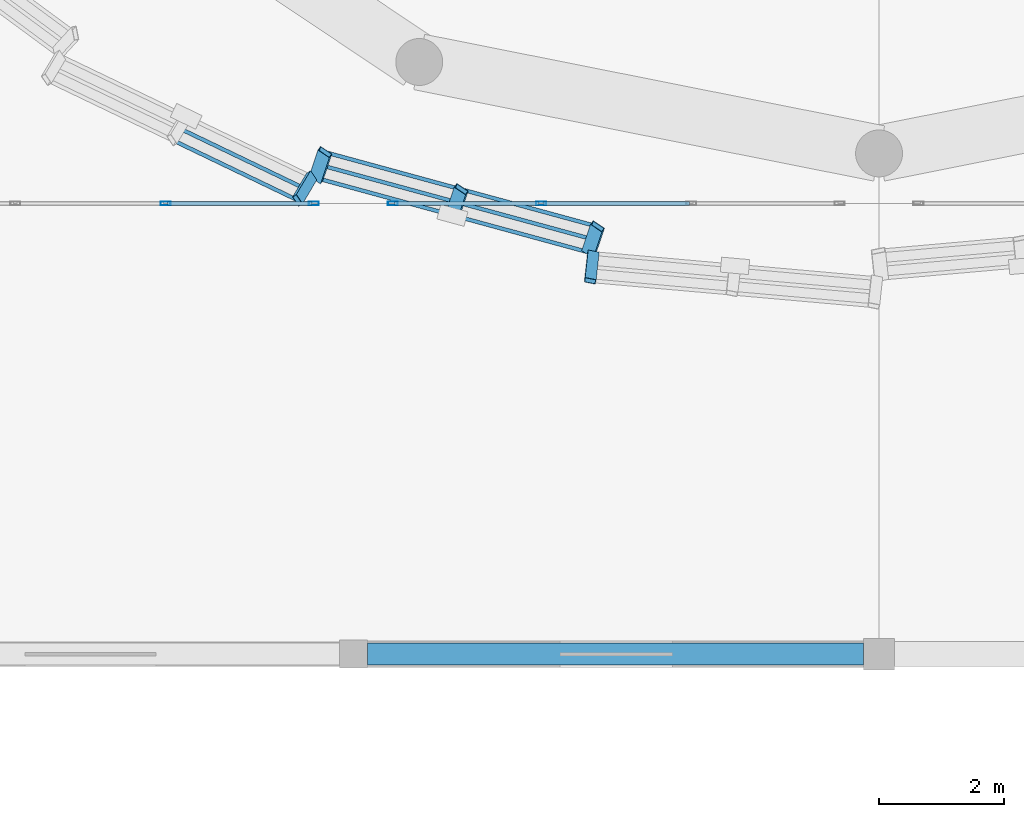
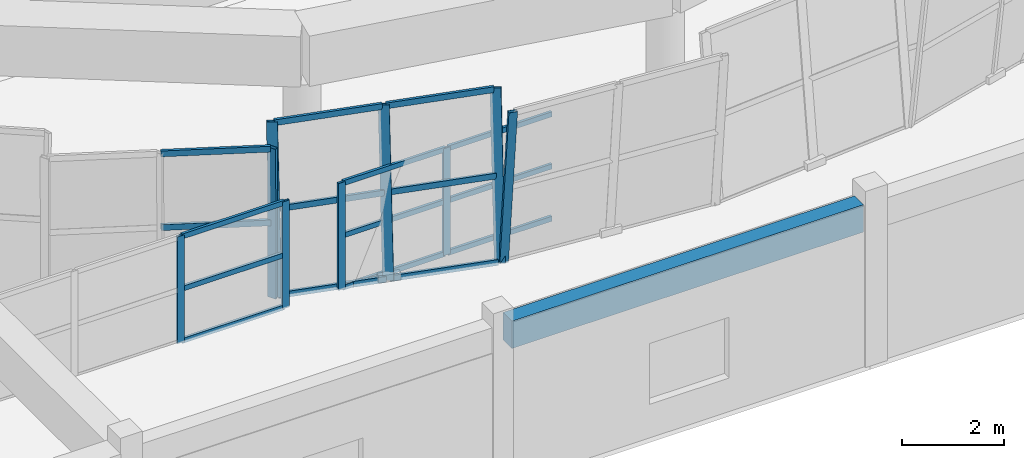
# One storey, part 10 of 40: 26 members, 1 beam, 5 elements without a shape of their own.
"""IFC4 building model written with IfcOpenShell, lengths in metres."""

from ifc_helpers import new_model, si_unit, direction, frame, origin, origin_2d, place, context, subcontext, project, spatial, rectangle, hollow_rectangle, extrude, material, material_profile, profile_set, type_object, element, aggregate, save


model = new_model("IFC4")

# Units and contexts
model_context = context("Model", 3, precision=1e-05, world=origin(), true_north=direction((0.0, 1.0)))
body_context = subcontext(model_context, "Body", "Model", "MODEL_VIEW")
ifc_project = project(units=[si_unit("LENGTHUNIT", "METRE"), si_unit("AREAUNIT", "SQUARE_METRE"), si_unit("VOLUMEUNIT", "CUBIC_METRE"), si_unit("PLANEANGLEUNIT", "RADIAN"), si_unit("MASSUNIT", "GRAM", prefix="KILO")], contexts=[model_context])

# Site, building, storey
site_placement = place(None, origin())
site = spatial("IfcSite", under=ifc_project, at=site_placement, CompositionType="ELEMENT")
building_placement = place(site_placement, origin())
building = spatial("IfcBuilding", under=site, at=building_placement, Name="Korsvaeld Concert Hall", CompositionType="ELEMENT")
storey_placement = place(building_placement, frame((0.0, 0.0, 13.199951171875)))
storey = spatial("IfcBuildingStorey", under=building, at=storey_placement, Name="L03", CompositionType="ELEMENT", Elevation=13.199951171875)

# Beam
ifc_material_1 = material(Name="Concrete C35/45", Category="concrete")
ifc_material_profile_1 = material_profile(ifc_material_1, rectangle(XDim=0.35009765625, YDim=0.64990234375, at=origin_2d()), Name="RC 350x650")
ifc_profile_set_1 = profile_set([ifc_material_profile_1], Name="Concrete C35/45")
beam_type = type_object("IfcBeamType", Name="BM-RC-350x650", PredefinedType="T_BEAM", material=ifc_profile_set_1)
beam_placement = place(storey_placement, frame((75.824951171875, 36.0, 3.51513671875), z_axis=(1.0, 0.0, 0.0), x_axis=(0.0, 1.0, 0.0)))
element("IfcBeam", 1, at=beam_placement, inside=storey, type_object=beam_type, Name="Primary girder 11-12/F L03", PredefinedType="T_BEAM", context=body_context, shape_type="SweptSolid", body=[
    extrude(rectangle(XDim=0.35009765625, YDim=0.64990234375, at=origin_2d()), origin(), (0.0, 0.0, 1.0), 7.925048828125),
])

# Curtain wall, members
ifc_material_2 = material(Name="Anodised bronze and ceramic-fritted safety glass", Category="glass")
curtain_wall_type_1 = type_object("IfcCurtainWallType", Name="CW-TYPE-14", PredefinedType="USERDEFINED", material=ifc_material_2)
curtain_wall_1_placement = place(storey_placement, origin())
curtain_wall_1 = element("IfcCurtainWall", 2, at=curtain_wall_1_placement, inside=storey, type_object=curtain_wall_type_1, Name="Glazed foyer acoustic screen L03-38", ObjectType="CURTAIN WALL", PredefinedType="USERDEFINED")
ifc_material_3 = material(Name="Anodised architectural bronze aluminium", Category="aluminium")
ifc_material_profile_2 = material_profile(ifc_material_3, hollow_rectangle(XDim=0.06005859375, YDim=0.159912109375, WallThickness=0.00390625, at=origin_2d()), Name="CWM 160x60x4")
ifc_profile_set_2 = profile_set([ifc_material_profile_2], Name="Anodised architectural bronze aluminium")
member_type_1 = type_object("IfcMemberType", Name="CWM-ALUM-160x60", PredefinedType="MULLION", material=ifc_profile_set_2)
member_1_placement = place(storey_placement, frame((72.60009765625, 43.199951171875, 0.0), z_axis=(0.0, 0.0, 1.0), x_axis=(0.0, 1.0, 0.0)))
member_1 = element("IfcMember", 3, at=member_1_placement, type_object=member_type_1, Name="CW-14 mullion 3", PredefinedType="MULLION", context=body_context, shape_type="SweptSolid", body=[
    extrude(hollow_rectangle(XDim=0.06005859375, YDim=0.159912109375, WallThickness=0.00390625, at=origin_2d()), origin(), (0.0, 0.0, 1.0), 2.550048828125),
])
member_2_placement = place(storey_placement, frame((74.969970703125, 43.199951171875, 0.0), z_axis=(0.0, 0.0, 1.0), x_axis=(0.0, 1.0, 0.0)))
member_2 = element("IfcMember", 4, at=member_2_placement, type_object=member_type_1, Name="CW-14 mullion 4", PredefinedType="MULLION", context=body_context, shape_type="SweptSolid", body=[
    extrude(hollow_rectangle(XDim=0.06005859375, YDim=0.159912109375, WallThickness=0.00390625, at=origin_2d()), origin(), (0.0, 0.0, 1.0), 2.550048828125),
])

curtain_wall_type_2 = type_object("IfcCurtainWallType", Name="CW-TYPE-15", PredefinedType="USERDEFINED", material=ifc_material_2)
curtain_wall_2_placement = place(storey_placement, origin())
curtain_wall_2 = element("IfcCurtainWall", 5, at=curtain_wall_2_placement, inside=storey, type_object=curtain_wall_type_2, Name="Glazed foyer acoustic screen L03-39", ObjectType="CURTAIN WALL", PredefinedType="USERDEFINED")
member_3_placement = place(storey_placement, frame((76.22998046875, 43.199951171875, 0.0), z_axis=(0.0, 0.0, 1.0), x_axis=(0.0, 1.0, 0.0)))
member_3 = element("IfcMember", 6, at=member_3_placement, type_object=member_type_1, Name="CW-15 mullion 1", PredefinedType="MULLION", context=body_context, shape_type="SweptSolid", body=[
    extrude(hollow_rectangle(XDim=0.06005859375, YDim=0.159912109375, WallThickness=0.00390625, at=origin_2d()), origin(), (0.0, 0.0, 1.0), 2.550048828125),
])
member_4_placement = place(storey_placement, frame((78.60009765625, 43.199951171875, 0.0), z_axis=(0.0, 0.0, 1.0), x_axis=(0.0, 1.0, 0.0)))
member_4 = element("IfcMember", 7, at=member_4_placement, type_object=member_type_1, Name="CW-15 mullion 2", PredefinedType="MULLION", context=body_context, shape_type="SweptSolid", body=[
    extrude(hollow_rectangle(XDim=0.06005859375, YDim=0.159912109375, WallThickness=0.00390625, at=origin_2d()), origin(), (0.0, 0.0, 1.0), 2.550048828125),
])

# Curtain wall, member
curtain_wall_type_3 = type_object("IfcCurtainWallType", Name="CW-TYPE-06", PredefinedType="USERDEFINED", material=ifc_material_2)
curtain_wall_3_placement = place(storey_placement, origin())
curtain_wall_3 = element("IfcCurtainWall", 8, at=curtain_wall_3_placement, inside=storey, type_object=curtain_wall_type_3, Name="Crystal curtain-wall facet L03 F22", ObjectType="CURTAIN WALL", PredefinedType="USERDEFINED")
ifc_material_profile_3 = material_profile(ifc_material_3, hollow_rectangle(XDim=0.074951171875, YDim=0.179931640625, WallThickness=0.0048828125, at=origin_2d()), Name="CWM 180x75x5")
ifc_profile_set_3 = profile_set([ifc_material_profile_3], Name="Anodised architectural bronze aluminium")
member_type_2 = type_object("IfcMemberType", Name="CWM-BRONZE-180x75", PredefinedType="MULLION", material=ifc_profile_set_3)
member_5_placement = place(storey_placement, frame((74.934814453125, 43.630126953125, 0.0), z_axis=(-0.057890146021, -0.097275450549, 0.993572452172), x_axis=(0.829999508119, 0.548349795161, 0.102045669527)))
member_5 = element("IfcMember", 9, at=member_5_placement, type_object=member_type_2, Name="CW-CRYS-L03-F22 crystal mullion 3", PredefinedType="MULLION", context=body_context, shape_type="SweptSolid", body=[
    extrude(hollow_rectangle(XDim=0.074951171875, YDim=0.179931640625, WallThickness=0.0048828125, at=origin_2d()), origin(), (0.0, 0.0, 1.0), 3.9052734375),
])

curtain_wall_type_4 = type_object("IfcCurtainWallType", Name="CW-TYPE-08", PredefinedType="USERDEFINED", material=ifc_material_2)
curtain_wall_4_placement = place(storey_placement, origin())
curtain_wall_4 = element("IfcCurtainWall", 10, at=curtain_wall_4_placement, inside=storey, type_object=curtain_wall_type_4, Name="Crystal curtain-wall facet L03 F24", ObjectType="CURTAIN WALL", PredefinedType="USERDEFINED")
member_6_placement = place(storey_placement, frame((79.433349609375, 42.404052734375, 0.0), z_axis=(-0.012378224246, -0.112529311329, 0.993571302754), x_axis=(0.195828222386, 0.974132849792, 0.11276745219)))
member_6 = element("IfcMember", 11, at=member_6_placement, type_object=member_type_2, Name="CW-CRYS-L03-F24 crystal mullion 1", PredefinedType="MULLION", context=body_context, shape_type="SweptSolid", body=[
    extrude(hollow_rectangle(XDim=0.074951171875, YDim=0.179931640625, WallThickness=0.0048828125, at=origin_2d()), origin(), (0.0, 0.0, 1.0), 3.9052734375),
])
aggregate(curtain_wall_4, [member_6])

# Curtain wall, members
curtain_wall_type_5 = type_object("IfcCurtainWallType", Name="CW-TYPE-07", PredefinedType="USERDEFINED", material=ifc_material_2)
curtain_wall_5_placement = place(storey_placement, origin())
curtain_wall_5 = element("IfcCurtainWall", 12, at=curtain_wall_5_placement, inside=storey, type_object=curtain_wall_type_5, Name="Crystal curtain-wall facet L03 F23", ObjectType="CURTAIN WALL", PredefinedType="USERDEFINED")
ifc_material_profile_4 = material_profile(ifc_material_3, hollow_rectangle(XDim=0.074951171875, YDim=0.219970703125, WallThickness=0.006103515625, at=origin_2d()), Name="CWM 220x75x6")
ifc_profile_set_4 = profile_set([ifc_material_profile_4], Name="Anodised architectural bronze aluminium")
member_type_3 = type_object("IfcMemberType", Name="CWM-BRONZE-220x75", PredefinedType="MULLION", material=ifc_profile_set_4)
member_7_placement = place(storey_placement, frame((75.0048828125, 43.60400390625, 0.0), z_axis=(0.036197122149, 0.107216000838, 0.993576618843), x_axis=(-0.55573398258, -0.824159803474, 0.10918039633)))
member_7 = element("IfcMember", 13, at=member_7_placement, type_object=member_type_3, Name="CW-CRYS-L03-F23 crystal mullion 1", PredefinedType="MULLION", context=body_context, shape_type="SweptSolid", body=[
    extrude(hollow_rectangle(XDim=0.074951171875, YDim=0.219970703125, WallThickness=0.006103515625, at=origin_2d()), origin(), (0.0, 0.0, 1.0), 3.9052734375),
])
member_8_placement = place(storey_placement, frame((77.182373046875, 43.010498046875, 0.0), z_axis=(0.036196879459, 0.10727779819, 0.993569957242), x_axis=(-0.555586354062, -0.824251855726, 0.109236813907)))
member_8 = element("IfcMember", 14, at=member_8_placement, type_object=member_type_3, Name="CW-CRYS-L03-F23 crystal mullion 2", PredefinedType="MULLION", context=body_context, shape_type="SweptSolid", body=[
    extrude(hollow_rectangle(XDim=0.074951171875, YDim=0.219970703125, WallThickness=0.006103515625, at=origin_2d()), origin(), (0.0, 0.0, 1.0), 3.9052734375),
])
member_9_placement = place(storey_placement, frame((79.359619140625, 42.417236328125, 0.0), z_axis=(0.036259313537, 0.107277555223, 0.993567706967), x_axis=(-0.556016744677, -0.823959061851, 0.109255864975)))
member_9 = element("IfcMember", 15, at=member_9_placement, type_object=member_type_3, Name="CW-CRYS-L03-F23 crystal mullion 3", PredefinedType="MULLION", context=body_context, shape_type="SweptSolid", body=[
    extrude(hollow_rectangle(XDim=0.074951171875, YDim=0.219970703125, WallThickness=0.006103515625, at=origin_2d()), origin(), (0.0, 0.0, 1.0), 3.9052734375),
])

# Member
ifc_material_profile_5 = material_profile(ifc_material_3, hollow_rectangle(XDim=0.06005859375, YDim=0.1201171875, WallThickness=0.00390625, at=origin_2d()), Name="CWT 120x60x4")
ifc_profile_set_5 = profile_set([ifc_material_profile_5], Name="Anodised architectural bronze aluminium")
member_type_4 = type_object("IfcMemberType", Name="CWT-ALUM-120x60", PredefinedType="USERDEFINED", material=ifc_profile_set_5)
member_10_placement = place(storey_placement, frame((72.6298828125, 43.199951171875, 0.030029296875), z_axis=(1.0, 0.0, 0.0), x_axis=(0.0, 1.0, 0.0)))
member_10 = element("IfcMember", 16, at=member_10_placement, type_object=member_type_4, Name="CW-14 transom 3.1", ObjectType="TRANSOM", PredefinedType="USERDEFINED", context=body_context, shape_type="SweptSolid", body=[
    extrude(hollow_rectangle(XDim=0.06005859375, YDim=0.1201171875, WallThickness=0.00390625, at=origin_2d()), origin(), (0.0, 0.0, 1.0), 2.31005859375),
])

member_11_placement = place(storey_placement, frame((72.6298828125, 43.199951171875, 1.275146484375), z_axis=(1.0, 0.0, 0.0), x_axis=(0.0, 1.0, 0.0)))
member_11 = element("IfcMember", 17, at=member_11_placement, type_object=member_type_4, Name="CW-14 transom 3.2", ObjectType="TRANSOM", PredefinedType="USERDEFINED", context=body_context, shape_type="SweptSolid", body=[
    extrude(hollow_rectangle(XDim=0.06005859375, YDim=0.1201171875, WallThickness=0.00390625, at=origin_2d()), origin(), (0.0, 0.0, 1.0), 2.31005859375),
])

member_12_placement = place(storey_placement, frame((72.6298828125, 43.199951171875, 2.52001953125), z_axis=(1.0, 0.0, 0.0), x_axis=(0.0, 1.0, 0.0)))
member_12 = element("IfcMember", 18, at=member_12_placement, type_object=member_type_4, Name="CW-14 transom 3.3", ObjectType="TRANSOM", PredefinedType="USERDEFINED", context=body_context, shape_type="SweptSolid", body=[
    extrude(hollow_rectangle(XDim=0.06005859375, YDim=0.1201171875, WallThickness=0.00390625, at=origin_2d()), origin(), (0.0, 0.0, 1.0), 2.31005859375),
])

aggregate(curtain_wall_1, [member_1, member_2, member_10, member_11, member_12])

member_13_placement = place(storey_placement, frame((76.260009765625, 43.199951171875, 0.030029296875), z_axis=(1.0, 0.0, 0.0), x_axis=(0.0, 1.0, 0.0)))
member_13 = element("IfcMember", 19, at=member_13_placement, type_object=member_type_4, Name="CW-15 transom 1.1", ObjectType="TRANSOM", PredefinedType="USERDEFINED", context=body_context, shape_type="SweptSolid", body=[
    extrude(hollow_rectangle(XDim=0.06005859375, YDim=0.1201171875, WallThickness=0.00390625, at=origin_2d()), origin(), (0.0, 0.0, 1.0), 2.31005859375),
])

member_14_placement = place(storey_placement, frame((76.260009765625, 43.199951171875, 1.275146484375), z_axis=(1.0, 0.0, 0.0), x_axis=(0.0, 1.0, 0.0)))
member_14 = element("IfcMember", 20, at=member_14_placement, type_object=member_type_4, Name="CW-15 transom 1.2", ObjectType="TRANSOM", PredefinedType="USERDEFINED", context=body_context, shape_type="SweptSolid", body=[
    extrude(hollow_rectangle(XDim=0.06005859375, YDim=0.1201171875, WallThickness=0.00390625, at=origin_2d()), origin(), (0.0, 0.0, 1.0), 2.31005859375),
])

member_15_placement = place(storey_placement, frame((76.260009765625, 43.199951171875, 2.52001953125), z_axis=(1.0, 0.0, 0.0), x_axis=(0.0, 1.0, 0.0)))
member_15 = element("IfcMember", 21, at=member_15_placement, type_object=member_type_4, Name="CW-15 transom 1.3", ObjectType="TRANSOM", PredefinedType="USERDEFINED", context=body_context, shape_type="SweptSolid", body=[
    extrude(hollow_rectangle(XDim=0.06005859375, YDim=0.1201171875, WallThickness=0.00390625, at=origin_2d()), origin(), (0.0, 0.0, 1.0), 2.31005859375),
])

member_16_placement = place(storey_placement, frame((78.6298828125, 43.199951171875, 0.030029296875), z_axis=(1.0, 0.0, 0.0), x_axis=(0.0, 1.0, 0.0)))
member_16 = element("IfcMember", 22, at=member_16_placement, type_object=member_type_4, Name="CW-15 transom 2.1", ObjectType="TRANSOM", PredefinedType="USERDEFINED", context=body_context, shape_type="SweptSolid", body=[
    extrude(hollow_rectangle(XDim=0.06005859375, YDim=0.1201171875, WallThickness=0.00390625, at=origin_2d()), origin(), (0.0, 0.0, 1.0), 2.340087890625),
])

member_17_placement = place(storey_placement, frame((78.6298828125, 43.199951171875, 1.275146484375), z_axis=(1.0, 0.0, 0.0), x_axis=(0.0, 1.0, 0.0)))
member_17 = element("IfcMember", 23, at=member_17_placement, type_object=member_type_4, Name="CW-15 transom 2.2", ObjectType="TRANSOM", PredefinedType="USERDEFINED", context=body_context, shape_type="SweptSolid", body=[
    extrude(hollow_rectangle(XDim=0.06005859375, YDim=0.1201171875, WallThickness=0.00390625, at=origin_2d()), origin(), (0.0, 0.0, 1.0), 2.340087890625),
])

member_18_placement = place(storey_placement, frame((78.6298828125, 43.199951171875, 2.52001953125), z_axis=(1.0, 0.0, 0.0), x_axis=(0.0, 1.0, 0.0)))
member_18 = element("IfcMember", 24, at=member_18_placement, type_object=member_type_4, Name="CW-15 transom 2.3", ObjectType="TRANSOM", PredefinedType="USERDEFINED", context=body_context, shape_type="SweptSolid", body=[
    extrude(hollow_rectangle(XDim=0.06005859375, YDim=0.1201171875, WallThickness=0.00390625, at=origin_2d()), origin(), (0.0, 0.0, 1.0), 2.340087890625),
])

aggregate(curtain_wall_2, [member_3, member_4, member_13, member_14, member_15, member_16, member_17, member_18])

ifc_material_profile_6 = material_profile(ifc_material_3, hollow_rectangle(XDim=0.06005859375, YDim=0.139892578125, WallThickness=0.00390625, at=origin_2d()), Name="CWT 140x60x4")
ifc_profile_set_6 = profile_set([ifc_material_profile_6], Name="Anodised architectural bronze aluminium")
member_type_5 = type_object("IfcMemberType", Name="CWT-BRONZE-140x60", PredefinedType="USERDEFINED", material=ifc_profile_set_6)
member_19_placement = place(storey_placement, frame((72.849365234375, 44.38720703125, 1.93994140625), z_axis=(0.901464591462, -0.432852850679, 0.0), x_axis=(0.432852850679, 0.901464591462, 0.0)))
member_19 = element("IfcMember", 25, at=member_19_placement, type_object=member_type_5, Name="CW-CRYS-L03-F22 crystal transom 2.2", ObjectType="TRANSOM", PredefinedType="USERDEFINED", context=body_context, shape_type="SweptSolid", body=[
    extrude(hollow_rectangle(XDim=0.06005859375, YDim=0.139892578125, WallThickness=0.00390625, at=origin_2d()), origin(), (0.0, 0.0, 1.0), 2.150634765625),
])

member_20_placement = place(storey_placement, frame((72.738037109375, 44.2001953125, 3.85009765625), z_axis=(0.901464591462, -0.432852850679, 0.0), x_axis=(0.432852850679, 0.901464591462, 0.0)))
member_20 = element("IfcMember", 26, at=member_20_placement, type_object=member_type_5, Name="CW-CRYS-L03-F22 crystal transom 2.3", ObjectType="TRANSOM", PredefinedType="USERDEFINED", context=body_context, shape_type="SweptSolid", body=[
    extrude(hollow_rectangle(XDim=0.06005859375, YDim=0.139892578125, WallThickness=0.00390625, at=origin_2d()), origin(), (0.0, 0.0, 1.0), 2.150634765625),
])

aggregate(curtain_wall_3, [member_5, member_19, member_20])

member_21_placement = place(storey_placement, frame((75.042236328125, 43.597412109375, 0.030029296875), z_axis=(0.964805126409, -0.262965906641, 0.0), x_axis=(0.262965906641, 0.964805126409, 0.0)))
member_21 = element("IfcMember", 27, at=member_21_placement, type_object=member_type_5, Name="CW-CRYS-L03-F23 crystal transom 1.1", ObjectType="TRANSOM", PredefinedType="USERDEFINED", context=body_context, shape_type="SweptSolid", body=[
    extrude(hollow_rectangle(XDim=0.06005859375, YDim=0.139892578125, WallThickness=0.00390625, at=origin_2d()), origin(), (0.0, 0.0, 1.0), 2.181884765625),
])

member_22_placement = place(storey_placement, frame((75.11181640625, 43.803466796875, 1.93994140625), z_axis=(0.964833511963, -0.262861739689, 0.0), x_axis=(0.262861739689, 0.964833511963, 0.0)))
member_22 = element("IfcMember", 28, at=member_22_placement, type_object=member_type_5, Name="CW-CRYS-L03-F23 crystal transom 1.2", ObjectType="TRANSOM", PredefinedType="USERDEFINED", context=body_context, shape_type="SweptSolid", body=[
    extrude(hollow_rectangle(XDim=0.06005859375, YDim=0.139892578125, WallThickness=0.00390625, at=origin_2d()), origin(), (0.0, 0.0, 1.0), 2.181640625),
])

member_23_placement = place(storey_placement, frame((75.181396484375, 44.009765625, 3.85009765625), z_axis=(0.964805126409, -0.262965906641, 0.0), x_axis=(0.262965906641, 0.964805126409, 0.0)))
member_23 = element("IfcMember", 29, at=member_23_placement, type_object=member_type_5, Name="CW-CRYS-L03-F23 crystal transom 1.3", ObjectType="TRANSOM", PredefinedType="USERDEFINED", context=body_context, shape_type="SweptSolid", body=[
    extrude(hollow_rectangle(XDim=0.06005859375, YDim=0.139892578125, WallThickness=0.00390625, at=origin_2d()), origin(), (0.0, 0.0, 1.0), 2.181884765625),
])

member_24_placement = place(storey_placement, frame((77.219482421875, 43.00390625, 0.030029296875), z_axis=(0.964841242841, -0.262833361873, 0.0), x_axis=(0.262833361873, 0.964841242841, 0.0)))
member_24 = element("IfcMember", 30, at=member_24_placement, type_object=member_type_5, Name="CW-CRYS-L03-F23 crystal transom 2.1", ObjectType="TRANSOM", PredefinedType="USERDEFINED", context=body_context, shape_type="SweptSolid", body=[
    extrude(hollow_rectangle(XDim=0.06005859375, YDim=0.139892578125, WallThickness=0.00390625, at=origin_2d()), origin(), (0.0, 0.0, 1.0), 2.181884765625),
])

member_25_placement = place(storey_placement, frame((77.289306640625, 43.210205078125, 1.93994140625), z_axis=(0.964805126409, -0.262965906641, 0.0), x_axis=(0.262965906641, 0.964805126409, 0.0)))
member_25 = element("IfcMember", 31, at=member_25_placement, type_object=member_type_5, Name="CW-CRYS-L03-F23 crystal transom 2.2", ObjectType="TRANSOM", PredefinedType="USERDEFINED", context=body_context, shape_type="SweptSolid", body=[
    extrude(hollow_rectangle(XDim=0.06005859375, YDim=0.139892578125, WallThickness=0.00390625, at=origin_2d()), origin(), (0.0, 0.0, 1.0), 2.181884765625),
])

member_26_placement = place(storey_placement, frame((77.35888671875, 43.416259765625, 3.85009765625), z_axis=(0.964833511963, -0.262861739689, 0.0), x_axis=(0.262861739689, 0.964833511963, 0.0)))
member_26 = element("IfcMember", 32, at=member_26_placement, type_object=member_type_5, Name="CW-CRYS-L03-F23 crystal transom 2.3", ObjectType="TRANSOM", PredefinedType="USERDEFINED", context=body_context, shape_type="SweptSolid", body=[
    extrude(hollow_rectangle(XDim=0.06005859375, YDim=0.139892578125, WallThickness=0.00390625, at=origin_2d()), origin(), (0.0, 0.0, 1.0), 2.181640625),
])

aggregate(curtain_wall_5, [member_7, member_8, member_9, member_21, member_22, member_23, member_24, member_25, member_26])

save(model, "model.ifc")
